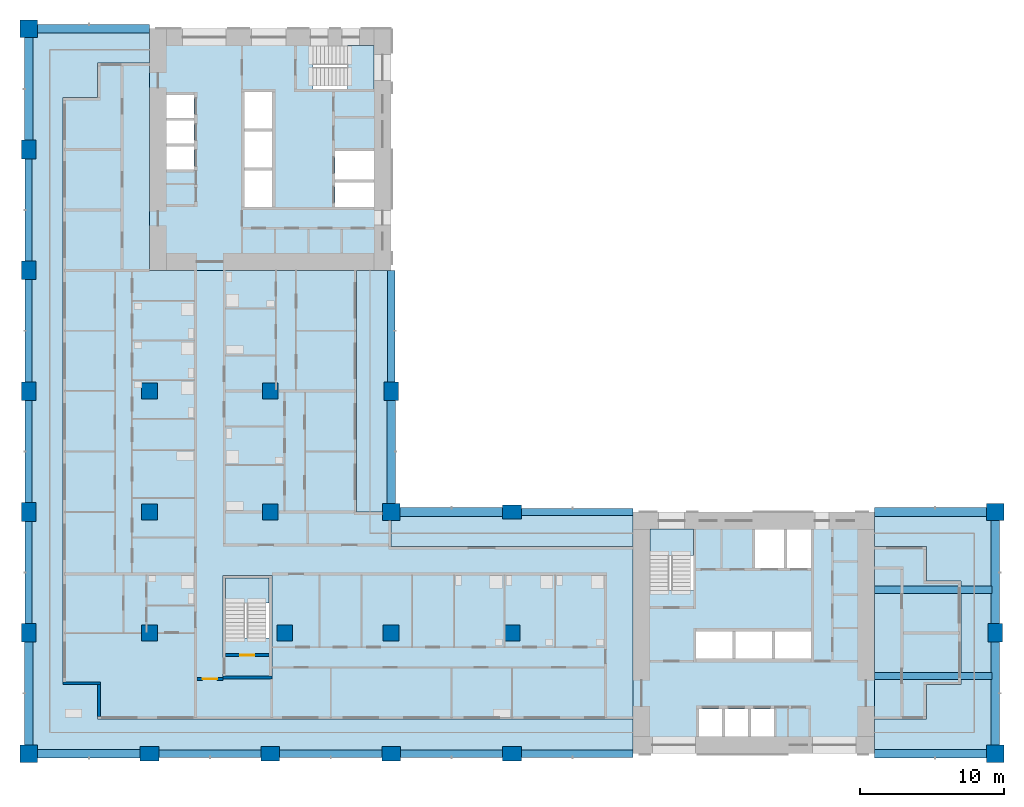
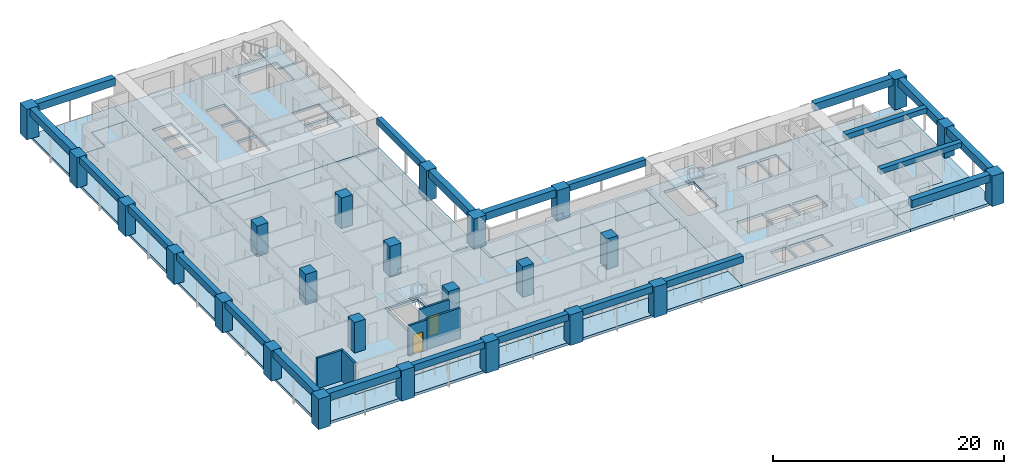
# One storey, part 1 of 17: 25 columns, 22 beams, 12 slabs, 5 walls, 2 doors, 2 openings, 3 elements without a shape of their own.
"""IFC4 building model written with IfcOpenShell, lengths in metres."""

from ifc_helpers import new_model, si_unit, direction, frame, frame_2d, origin, origin_2d, place, context, subcontext, project, spatial, polyline, rectangle, outline, extrude, material, layer, layer_set, material_profile, profile_set, type_object, element, fill, aggregate, save


model = new_model("IFC4")

# Units and contexts
model_context = context("Model", 3, precision=1e-05, world=origin(), true_north=direction((0.0, 1.0)))
body_context = subcontext(model_context, "Body", "Model", "MODEL_VIEW")
ifc_project = project(units=[si_unit("LENGTHUNIT", "METRE"), si_unit("AREAUNIT", "SQUARE_METRE"), si_unit("VOLUMEUNIT", "CUBIC_METRE"), si_unit("PLANEANGLEUNIT", "RADIAN"), si_unit("MASSUNIT", "GRAM", prefix="KILO")], contexts=[model_context])

# Site, building, storey
site_placement = place(None, origin())
site = spatial("IfcSite", under=ifc_project, at=site_placement, CompositionType="ELEMENT")
building_placement = place(site_placement, origin())
building = spatial("IfcBuilding", under=site, at=building_placement, Name="Vermilion Gate Residences", CompositionType="ELEMENT")
storey_placement = place(building_placement, frame((0.0, 0.0, 91.699951171875)))
storey = spatial("IfcBuildingStorey", under=building, at=storey_placement, Name="L22", CompositionType="ELEMENT", Elevation=91.699951171875)

# Columns
ifc_material_1 = material(Name="Concrete C70", Category="concrete")
ifc_material_profile_1 = material_profile(ifc_material_1, rectangle(XDim=1.10009765625, YDim=1.10009765625, at=origin_2d()), Name="RC-1100x1100")
ifc_profile_set_1 = profile_set([ifc_material_profile_1], Name="Concrete C70")
column_type_1 = type_object("IfcColumnType", Name="RC COLUMN 1100 X 1100 C70", PredefinedType="COLUMN", material=ifc_profile_set_1)
for number, where, z_axis, x_axis, name in (
    (1, (8.39990234375, 16.800048828125, 0.0), (0.0, 0.0, 1.0), (1.0, 0.0, 0.0), "Column 2-C L22"),
    (2, (8.39990234375, 25.199951171875, 0.0), (0.0, 0.0, 1.0), (1.0, 0.0, 0.0), "Column 2-D L22"),
    (3, (8.39990234375, 33.60009765625, 0.0), (0.0, 0.0, 1.0), (1.0, 0.0, 0.0), "Column 2-E L22"),
    (4, (17.800048828125, 16.800048828125, 0.0), (0.0, 0.0, 1.0), (1.0, 0.0, 0.0), "Column 3-C L22"),
    (5, (16.800048828125, 25.199951171875, 0.0), (0.0, 0.0, 1.0), (1.0, 0.0, 0.0), "Column 3-D L22"),
    (6, (16.800048828125, 33.60009765625, 0.0), (0.0, 0.0, 1.0), (1.0, 0.0, 0.0), "Column 3-E L22"),
    (7, (25.199951171875, 16.800048828125, 0.0), (0.0, 0.0, 1.0), (1.0, 0.0, 0.0), "Column 4-C L22"),
    (8, (33.60009765625, 16.800048828125, 0.0), (0.0, 0.0, 1.0), (1.0, 0.0, 0.0), "Column 5-C L22"),
):
    element("IfcColumn", number, at=place(storey_placement, frame(where, z_axis=z_axis, x_axis=x_axis)), inside=storey, type_object=column_type_1, Name=name, PredefinedType="COLUMN", context=body_context, shape_type="SweptSolid", body=[
        extrude(rectangle(XDim=1.10009765625, YDim=1.10009765625, at=origin_2d()), origin(), (0.0, 0.0, 1.0), 3.219970703125),
    ])
ifc_material_2 = material(Name="Concrete C70", Category="concrete")
ifc_material_profile_2 = material_profile(ifc_material_2, rectangle(XDim=1.199951171875, YDim=1.199951171875, at=origin_2d()), Name="RC-1200x1200")
ifc_profile_set_2 = profile_set([ifc_material_profile_2], Name="Concrete C70")
column_type_2 = type_object("IfcColumnType", Name="RC COLUMN 1200 X 1200 C70", PredefinedType="COLUMN", material=ifc_profile_set_2)
for number, where, z_axis, x_axis, name in (
    (9, (0.0, 8.39990234375, 0.0), (0.0, 0.0, 1.0), (1.0, 0.0, 0.0), "Column 1-B L22"),
    (10, (0.0, 58.800048828125, 0.0), (0.0, 0.0, 1.0), (1.0, 0.0, 0.0), "Column 1-H L22"),
    (11, (25.199951171875, 25.199951171875, 0.0), (0.0, 0.0, 1.0), (1.0, 0.0, 0.0), "Column 4-D L22"),
    (12, (67.199951171875, 8.39990234375, 0.0), (0.0, 0.0, 1.0), (1.0, 0.0, 0.0), "Column 9-B L22"),
    (13, (67.199951171875, 25.199951171875, 0.0), (0.0, 0.0, 1.0), (1.0, 0.0, 0.0), "Column 9-D L22"),
):
    element("IfcColumn", number, at=place(storey_placement, frame(where, z_axis=z_axis, x_axis=x_axis)), inside=storey, type_object=column_type_2, Name=name, PredefinedType="COLUMN", context=body_context, shape_type="SweptSolid", body=[
        extrude(rectangle(XDim=1.199951171875, YDim=1.199951171875, at=origin_2d()), origin(), (0.0, 0.0, 1.0), 3.219970703125),
    ])
ifc_material_3 = material(Name="Concrete C70", Category="concrete")
ifc_material_profile_3 = material_profile(ifc_material_3, rectangle(XDim=1.300048828125, YDim=1.0, at=origin_2d()), Name="RC-1300x1000")
ifc_profile_set_3 = profile_set([ifc_material_profile_3], Name="Concrete C70")
column_type_3 = type_object("IfcColumnType", Name="RC COLUMN 1300 X 1000 C70", PredefinedType="COLUMN", material=ifc_profile_set_3)
for number, where, z_axis, x_axis, name in (
    (14, (0.0, 16.800048828125, 0.0), (0.0, 0.0, 1.0), (0.0, 1.0, 0.0), "Column 1-C L22"),
    (15, (0.0, 25.199951171875, 0.0), (0.0, 0.0, 1.0), (0.0, 1.0, 0.0), "Column 1-D L22"),
    (16, (0.0, 33.60009765625, 0.0), (0.0, 0.0, 1.0), (0.0, 1.0, 0.0), "Column 1-E L22"),
    (17, (0.0, 42.0, 0.0), (0.0, 0.0, 1.0), (0.0, 1.0, 0.0), "Column 1-F L22"),
    (18, (0.0, 50.39990234375, 0.0), (0.0, 0.0, 1.0), (0.0, 1.0, 0.0), "Column 1-G L22"),
    (19, (8.39990234375, 8.39990234375, 0.0), (0.0, 0.0, 1.0), (1.0, 0.0, 0.0), "Column 2-B L22"),
    (20, (16.800048828125, 8.39990234375, 0.0), (0.0, 0.0, 1.0), (1.0, 0.0, 0.0), "Column 3-B L22"),
    (21, (25.199951171875, 8.39990234375, 0.0), (0.0, 0.0, 1.0), (1.0, 0.0, 0.0), "Column 4-B L22"),
    (22, (25.199951171875, 33.60009765625, 0.0), (0.0, 0.0, 1.0), (0.0, 1.0, 0.0), "Column 4-E L22"),
    (23, (33.60009765625, 8.39990234375, 0.0), (0.0, 0.0, 1.0), (1.0, 0.0, 0.0), "Column 5-B L22"),
    (24, (33.60009765625, 25.199951171875, 0.0), (0.0, 0.0, 1.0), (1.0, 0.0, 0.0), "Column 5-D L22"),
    (25, (67.199951171875, 16.800048828125, 0.0), (0.0, 0.0, 1.0), (0.0, 1.0, 0.0), "Column 9-C L22"),
):
    element("IfcColumn", number, at=place(storey_placement, frame(where, z_axis=z_axis, x_axis=x_axis)), inside=storey, type_object=column_type_3, Name=name, PredefinedType="COLUMN", context=body_context, shape_type="SweptSolid", body=[
        extrude(rectangle(XDim=1.300048828125, YDim=1.0, at=origin_2d()), origin(), (0.0, 0.0, 1.0), 3.219970703125),
    ])

# Beams
ifc_material_4 = material(Name="Concrete C60 red-oxide pigmented", Category="concrete")
ifc_material_profile_4 = material_profile(ifc_material_4, rectangle(XDim=0.60009765625, YDim=0.800048828125, at=origin_2d()), Name="RC-600x800")
ifc_profile_set_4 = profile_set([ifc_material_profile_4], Name="Concrete C60 red-oxide pigmented")
beam_type_1 = type_object("IfcBeamType", Name="RC CORNER EDGE BEAM 600 X 800 C60", PredefinedType="BEAM", material=ifc_profile_set_4)
for number, where, z_axis, x_axis, name in (
    (26, (0.60009765625, 8.39990234375, 2.820068359375), (1.0, 0.0, 0.0), (0.0, 1.0, 0.0), "Corner edge beam L22 1"),
    (27, (0.0, 9.0, 2.820068359375), (0.0, 1.0, 0.0), (-1.0, 0.0, 0.0), "Corner edge beam L22 2"),
):
    element("IfcBeam", number, at=place(storey_placement, frame(where, z_axis=z_axis, x_axis=x_axis)), inside=storey, type_object=beam_type_1, Name=name, PredefinedType="BEAM", context=body_context, shape_type="SweptSolid", body=[
        extrude(rectangle(XDim=0.60009765625, YDim=0.800048828125, at=origin_2d()), origin(), (0.0, 0.0, 1.0), 7.14990234375),
    ])
beam_1_placement = place(storey_placement, frame((0.60009765625, 58.800048828125, 2.820068359375), z_axis=(1.0, 0.0, 0.0), x_axis=(0.0, 1.0, 0.0)))
element("IfcBeam", 28, at=beam_1_placement, inside=storey, type_object=beam_type_1, Name="Corner edge beam L22 7", PredefinedType="BEAM", context=body_context, shape_type="SweptSolid", body=[
    extrude(rectangle(XDim=0.60009765625, YDim=0.800048828125, at=origin_2d()), origin(), (0.0, 0.0, 1.0), 7.7998046875),
])
for number, where, z_axis, x_axis, name in (
    (29, (0.0, 51.050048828125, 2.820068359375), (0.0, 1.0, 0.0), (-1.0, 0.0, 0.0), "Corner edge beam L22 8"),
    (30, (25.199951171875, 25.800048828125, 2.820068359375), (0.0, 1.0, 0.0), (-1.0, 0.0, 0.0), "Corner edge beam L22 11"),
    (31, (25.800048828125, 25.199951171875, 2.820068359375), (1.0, 0.0, 0.0), (0.0, 1.0, 0.0), "Corner edge beam L22 14"),
):
    element("IfcBeam", number, at=place(storey_placement, frame(where, z_axis=z_axis, x_axis=x_axis)), inside=storey, type_object=beam_type_1, Name=name, PredefinedType="BEAM", context=body_context, shape_type="SweptSolid", body=[
        extrude(rectangle(XDim=0.60009765625, YDim=0.800048828125, at=origin_2d()), origin(), (0.0, 0.0, 1.0), 7.14990234375),
    ])
beam_2_placement = place(storey_placement, frame((58.800048828125, 8.39990234375, 2.820068359375), z_axis=(1.0, 0.0, 0.0), x_axis=(0.0, 1.0, 0.0)))
element("IfcBeam", 32, at=beam_2_placement, inside=storey, type_object=beam_type_1, Name="Corner edge beam L22 17", PredefinedType="BEAM", context=body_context, shape_type="SweptSolid", body=[
    extrude(rectangle(XDim=0.60009765625, YDim=0.800048828125, at=origin_2d()), origin(), (0.0, 0.0, 1.0), 7.800048828125),
])
beam_3_placement = place(storey_placement, frame((67.199951171875, 9.0, 2.820068359375), z_axis=(0.0, 1.0, 0.0), x_axis=(-1.0, 0.0, 0.0)))
element("IfcBeam", 33, at=beam_3_placement, inside=storey, type_object=beam_type_1, Name="Corner edge beam L22 18", PredefinedType="BEAM", context=body_context, shape_type="SweptSolid", body=[
    extrude(rectangle(XDim=0.60009765625, YDim=0.800048828125, at=origin_2d()), origin(), (0.0, 0.0, 1.0), 7.14990234375),
])
beam_4_placement = place(storey_placement, frame((67.199951171875, 17.449951171875, 2.820068359375), z_axis=(0.0, 1.0, 0.0), x_axis=(-1.0, 0.0, 0.0)))
element("IfcBeam", 34, at=beam_4_placement, inside=storey, type_object=beam_type_1, Name="Corner edge beam L22 19", PredefinedType="BEAM", context=body_context, shape_type="SweptSolid", body=[
    extrude(rectangle(XDim=0.60009765625, YDim=0.800048828125, at=origin_2d()), origin(), (0.0, 0.0, 1.0), 7.150146484375),
])
beam_5_placement = place(storey_placement, frame((58.800048828125, 25.199951171875, 2.820068359375), z_axis=(1.0, 0.0, 0.0), x_axis=(0.0, 1.0, 0.0)))
element("IfcBeam", 35, at=beam_5_placement, inside=storey, type_object=beam_type_1, Name="Corner edge beam L22 20", PredefinedType="BEAM", context=body_context, shape_type="SweptSolid", body=[
    extrude(rectangle(XDim=0.60009765625, YDim=0.800048828125, at=origin_2d()), origin(), (0.0, 0.0, 1.0), 7.800048828125),
])
ifc_material_5 = material(Name="Concrete C60 red-oxide pigmented", Category="concrete")
ifc_material_profile_5 = material_profile(ifc_material_5, rectangle(XDim=0.5, YDim=0.699951171875, at=origin_2d()), Name="RC-500x700")
ifc_profile_set_5 = profile_set([ifc_material_profile_5], Name="Concrete C60 red-oxide pigmented")
beam_type_2 = type_object("IfcBeamType", Name="RC EDGE BEAM 500 X 700 C60", PredefinedType="BEAM", material=ifc_profile_set_5)
beam_6_placement = place(storey_placement, frame((0.0, 17.449951171875, 2.8701171875), z_axis=(0.0, 1.0, 0.0), x_axis=(-1.0, 0.0, 0.0)))
element("IfcBeam", 36, at=beam_6_placement, inside=storey, type_object=beam_type_2, Name="Edge beam L22 3", PredefinedType="BEAM", context=body_context, shape_type="SweptSolid", body=[
    extrude(rectangle(XDim=0.5, YDim=0.699951171875, at=origin_2d()), origin(), (0.0, 0.0, 1.0), 7.10009765625),
])
beam_7_placement = place(storey_placement, frame((0.0, 25.85009765625, 2.8701171875), z_axis=(0.0, 1.0, 0.0), x_axis=(-1.0, 0.0, 0.0)))
element("IfcBeam", 37, at=beam_7_placement, inside=storey, type_object=beam_type_2, Name="Edge beam L22 4", PredefinedType="BEAM", context=body_context, shape_type="SweptSolid", body=[
    extrude(rectangle(XDim=0.5, YDim=0.699951171875, at=origin_2d()), origin(), (0.0, 0.0, 1.0), 7.099853515625),
])
for number, where, z_axis, x_axis, name in (
    (38, (0.0, 34.25, 2.8701171875), (0.0, 1.0, 0.0), (-1.0, 0.0, 0.0), "Edge beam L22 5"),
    (39, (0.0, 42.64990234375, 2.8701171875), (0.0, 1.0, 0.0), (-1.0, 0.0, 0.0), "Edge beam L22 6"),
):
    element("IfcBeam", number, at=place(storey_placement, frame(where, z_axis=z_axis, x_axis=x_axis)), inside=storey, type_object=beam_type_2, Name=name, PredefinedType="BEAM", context=body_context, shape_type="SweptSolid", body=[
        extrude(rectangle(XDim=0.5, YDim=0.699951171875, at=origin_2d()), origin(), (0.0, 0.0, 1.0), 7.10009765625),
    ])
beam_8_placement = place(storey_placement, frame((9.050048828125, 8.39990234375, 2.8701171875), z_axis=(1.0, 0.0, 0.0), x_axis=(0.0, 1.0, 0.0)))
element("IfcBeam", 40, at=beam_8_placement, inside=storey, type_object=beam_type_2, Name="Edge beam L22 9", PredefinedType="BEAM", context=body_context, shape_type="SweptSolid", body=[
    extrude(rectangle(XDim=0.5, YDim=0.699951171875, at=origin_2d()), origin(), (0.0, 0.0, 1.0), 7.099853515625),
])
beam_9_placement = place(storey_placement, frame((17.449951171875, 8.39990234375, 2.8701171875), z_axis=(1.0, 0.0, 0.0), x_axis=(0.0, 1.0, 0.0)))
element("IfcBeam", 41, at=beam_9_placement, inside=storey, type_object=beam_type_2, Name="Edge beam L22 10", PredefinedType="BEAM", context=body_context, shape_type="SweptSolid", body=[
    extrude(rectangle(XDim=0.5, YDim=0.699951171875, at=origin_2d()), origin(), (0.0, 0.0, 1.0), 7.10009765625),
])
beam_10_placement = place(storey_placement, frame((25.199951171875, 34.25, 2.8701171875), z_axis=(0.0, 1.0, 0.0), x_axis=(-1.0, 0.0, 0.0)))
element("IfcBeam", 42, at=beam_10_placement, inside=storey, type_object=beam_type_2, Name="Edge beam L22 12", PredefinedType="BEAM", context=body_context, shape_type="SweptSolid", body=[
    extrude(rectangle(XDim=0.5, YDim=0.699951171875, at=origin_2d()), origin(), (0.0, 0.0, 1.0), 7.75),
])
beam_11_placement = place(storey_placement, frame((25.85009765625, 8.39990234375, 2.8701171875), z_axis=(1.0, 0.0, 0.0), x_axis=(0.0, 1.0, 0.0)))
element("IfcBeam", 43, at=beam_11_placement, inside=storey, type_object=beam_type_2, Name="Edge beam L22 13", PredefinedType="BEAM", context=body_context, shape_type="SweptSolid", body=[
    extrude(rectangle(XDim=0.5, YDim=0.699951171875, at=origin_2d()), origin(), (0.0, 0.0, 1.0), 7.099853515625),
])
for number, where, z_axis, x_axis, name in (
    (44, (34.25, 8.39990234375, 2.8701171875), (1.0, 0.0, 0.0), (0.0, 1.0, 0.0), "Edge beam L22 15"),
    (45, (34.25, 25.199951171875, 2.8701171875), (1.0, 0.0, 0.0), (0.0, 1.0, 0.0), "Edge beam L22 16"),
):
    element("IfcBeam", number, at=place(storey_placement, frame(where, z_axis=z_axis, x_axis=x_axis)), inside=storey, type_object=beam_type_2, Name=name, PredefinedType="BEAM", context=body_context, shape_type="SweptSolid", body=[
        extrude(rectangle(XDim=0.5, YDim=0.699951171875, at=origin_2d()), origin(), (0.0, 0.0, 1.0), 7.75),
    ])
ifc_material_6 = material(Name="Concrete C60", Category="concrete")
ifc_material_profile_6 = material_profile(ifc_material_6, rectangle(XDim=0.5, YDim=0.550048828125, at=origin_2d()), Name="RC-500x550")
ifc_profile_set_6 = profile_set([ifc_material_profile_6], Name="Concrete C60")
beam_type_3 = type_object("IfcBeamType", Name="RC WING BEAM 500 X 550 C60", PredefinedType="BEAM", material=ifc_profile_set_6)
for number, where, z_axis, x_axis, name in (
    (46, (58.800048828125, 13.800048828125, 2.945068359375), (1.0, 0.0, 0.0), (0.0, 1.0, 0.0), "Wing-end beam L22 1"),
    (47, (58.800048828125, 19.800048828125, 2.945068359375), (1.0, 0.0, 0.0), (0.0, 1.0, 0.0), "Wing-end beam L22 2"),
):
    element("IfcBeam", number, at=place(storey_placement, frame(where, z_axis=z_axis, x_axis=x_axis)), inside=storey, type_object=beam_type_3, Name=name, PredefinedType="BEAM", context=body_context, shape_type="SweptSolid", body=[
        extrude(rectangle(XDim=0.5, YDim=0.550048828125, at=origin_2d()), origin(), (0.0, 0.0, 1.0), 8.14990234375),
    ])

# Slabs
ifc_material_7 = material(Name="Concrete C50", Category="concrete")
ifc_layer_1 = layer(ifc_material_7, 0.280029296875)
ifc_layer_set_1 = layer_set([ifc_layer_1], Name="RC CORE FLOOR SLAB 280 C50")
slab_type_1 = type_object("IfcSlabType", Name="RC CORE FLOOR SLAB 280 C50", PredefinedType="FLOOR", material=ifc_layer_set_1)
slab_1_placement = place(storey_placement, frame((0.0, 0.0, -0.280029296875)))
element("IfcSlab", 48, at=slab_1_placement, inside=storey, type_object=slab_type_1, Name="Core floor slab A22", PredefinedType="FLOOR", context=body_context, shape_type="SweptSolid", body=[
    extrude(outline(polyline([(42.0, 8.39990234375), (58.800048828125, 8.39990234375), (58.800048828125, 25.199951171875), (42.0, 25.199951171875), (42.0, 8.39990234375)]), holes=[polyline([(46.60009765625, 11.5), (48.199951171875, 11.5), (48.199951171875, 9.60009765625), (46.60009765625, 9.60009765625), (46.60009765625, 11.5)]), polyline([(48.39990234375, 11.5), (50.0, 11.5), (50.0, 9.60009765625), (48.39990234375, 9.60009765625), (48.39990234375, 11.5)]), polyline([(50.199951171875, 11.5), (51.800048828125, 11.5), (51.800048828125, 9.60009765625), (50.199951171875, 9.60009765625), (50.199951171875, 11.5)]), polyline([(46.39990234375, 16.89990234375), (48.933349609375, 16.89990234375), (48.933349609375, 15.0), (46.39990234375, 15.0), (46.39990234375, 16.89990234375)]), polyline([(49.13330078125, 16.89990234375), (51.666748046875, 16.89990234375), (51.666748046875, 15.0), (49.13330078125, 15.0), (49.13330078125, 16.89990234375)]), polyline([(51.86669921875, 16.89990234375), (54.39990234375, 16.89990234375), (54.39990234375, 15.0), (51.86669921875, 15.0), (51.86669921875, 16.89990234375)]), polyline([(43.199951171875, 24.0), (46.199951171875, 24.0), (46.199951171875, 19.75), (43.199951171875, 19.75), (43.199951171875, 24.0)]), polyline([(52.5, 24.0), (52.5, 21.300048828125), (50.5, 21.300048828125), (50.5, 24.0), (52.5, 24.0)]), polyline([(54.39990234375, 24.0), (54.39990234375, 21.300048828125), (52.699951171875, 21.300048828125), (52.699951171875, 24.0), (54.39990234375, 24.0)])]), origin(), (0.0, 0.0, 1.0), 0.280029296875),
])
slab_2_placement = place(storey_placement, frame((0.0, 0.0, -0.280029296875)))
element("IfcSlab", 49, at=slab_2_placement, inside=storey, type_object=slab_type_1, Name="Core floor slab B22", PredefinedType="FLOOR", context=body_context, shape_type="SweptSolid", body=[
    extrude(outline(polyline([(8.39990234375, 42.0), (25.199951171875, 42.0), (25.199951171875, 58.800048828125), (8.39990234375, 58.800048828125), (8.39990234375, 42.0)]), holes=[polyline([(21.300048828125, 48.10009765625), (24.0, 48.10009765625), (24.0, 46.39990234375), (21.300048828125, 46.39990234375), (21.300048828125, 48.10009765625)]), polyline([(15.0, 48.933349609375), (16.89990234375, 48.933349609375), (16.89990234375, 46.39990234375), (15.0, 46.39990234375), (15.0, 48.933349609375)]), polyline([(21.300048828125, 50.300048828125), (24.0, 50.300048828125), (24.0, 48.300048828125), (21.300048828125, 48.300048828125), (21.300048828125, 50.300048828125)]), polyline([(9.60009765625, 50.60009765625), (11.5, 50.60009765625), (11.5, 49.0), (9.60009765625, 49.0), (9.60009765625, 50.60009765625)]), polyline([(15.0, 51.666748046875), (16.89990234375, 51.666748046875), (16.89990234375, 49.13330078125), (15.0, 49.13330078125), (15.0, 51.666748046875)]), polyline([(9.60009765625, 52.39990234375), (11.5, 52.39990234375), (11.5, 50.800048828125), (9.60009765625, 50.800048828125), (9.60009765625, 52.39990234375)]), polyline([(15.0, 54.39990234375), (16.89990234375, 54.39990234375), (16.89990234375, 51.86669921875), (15.0, 51.86669921875), (15.0, 54.39990234375)]), polyline([(11.5, 54.199951171875), (11.5, 52.60009765625), (9.60009765625, 52.60009765625), (9.60009765625, 54.199951171875), (11.5, 54.199951171875)]), polyline([(24.0, 57.60009765625), (24.0, 54.60009765625), (19.75, 54.60009765625), (19.75, 57.60009765625), (24.0, 57.60009765625)])]), origin(), (0.0, 0.0, 1.0), 0.280029296875),
])
slab_3_placement = place(storey_placement, frame((0.0, 0.0, -0.280029296875)))
element("IfcSlab", 50, at=slab_3_placement, inside=storey, type_object=slab_type_1, Name="Apex stair floor slab 22", PredefinedType="FLOOR", context=body_context, shape_type="SweptSolid", body=[
    extrude(outline(polyline([(13.5, 13.60009765625), (16.89990234375, 13.60009765625), (16.89990234375, 20.800048828125), (13.5, 20.800048828125), (13.5, 13.60009765625)]), holes=[polyline([(16.699951171875, 20.60009765625), (16.699951171875, 16.449951171875), (13.699951171875, 16.449951171875), (13.699951171875, 20.60009765625), (16.699951171875, 20.60009765625)])]), origin(), (0.0, 0.0, 1.0), 0.280029296875),
])
ifc_material_8 = material(Name="Concrete C50", Category="concrete")
ifc_layer_2 = layer(ifc_material_8, 0.280029296875)
ifc_layer_set_2 = layer_set([ifc_layer_2], Name="RC FLAT PLATE 280 C50")
slab_type_2 = type_object("IfcSlabType", Name="RC FLAT PLATE 280 C50", PredefinedType="FLOOR", material=ifc_layer_set_2)
slab_4_placement = place(storey_placement, frame((0.0, 0.0, -0.280029296875)))
element("IfcSlab", 51, at=slab_4_placement, inside=storey, type_object=slab_type_2, Name="Floor slab L22", PredefinedType="FLOOR", context=body_context, shape_type="SweptSolid", body=[
    extrude(outline(polyline([(22.800048828125, 25.199951171875), (22.800048828125, 42.0), (8.39990234375, 42.0), (8.39990234375, 56.39990234375), (4.800048828125, 56.39990234375), (4.800048828125, 54.0), (2.39990234375, 54.0), (2.39990234375, 13.199951171875), (4.800048828125, 13.199951171875), (4.800048828125, 10.800048828125), (42.0, 10.800048828125), (42.0, 22.800048828125), (25.199951171875, 22.800048828125), (25.199951171875, 25.199951171875), (22.800048828125, 25.199951171875)]), holes=[polyline([(13.5, 13.60009765625), (13.5, 20.800048828125), (16.89990234375, 20.800048828125), (16.89990234375, 13.60009765625), (13.5, 13.60009765625)])]), origin(), (0.0, 0.0, 1.0), 0.280029296875),
])
slab_5_placement = place(storey_placement, frame((0.0, 0.0, -0.280029296875)))
element("IfcSlab", 52, at=slab_5_placement, inside=storey, type_object=slab_type_2, Name="Floor slab L22", PredefinedType="FLOOR", context=body_context, shape_type="SweptSolid", body=[
    extrude(outline(polyline([(58.800048828125, 22.800048828125), (58.800048828125, 10.800048828125), (62.39990234375, 10.800048828125), (62.39990234375, 13.199951171875), (64.800048828125, 13.199951171875), (64.800048828125, 20.39990234375), (62.39990234375, 20.39990234375), (62.39990234375, 22.800048828125), (58.800048828125, 22.800048828125)])), origin(), (0.0, 0.0, 1.0), 0.280029296875),
])
ifc_material_9 = material(Name="Concrete C50 red-oxide pigmented", Category="concrete")
ifc_layer_3 = layer(ifc_material_9, 0.280029296875)
ifc_layer_set_3 = layer_set([ifc_layer_3], Name="RC LOGGIA SLAB 280 C50")
slab_type_3 = type_object("IfcSlabType", Name="RC LOGGIA SLAB 280 C50", PredefinedType="FLOOR", material=ifc_layer_set_3)
slab_6_placement = place(storey_placement, frame((0.0, 0.0, -0.280029296875)))
element("IfcSlab", 53, at=slab_6_placement, inside=storey, type_object=slab_type_3, Name="Loggia slab L22", PredefinedType="FLOOR", context=body_context, shape_type="SweptSolid", body=[
    extrude(outline(polyline([(0.0, 58.800048828125), (0.0, 8.39990234375), (42.0, 8.39990234375), (42.0, 10.800048828125), (4.800048828125, 10.800048828125), (4.800048828125, 13.199951171875), (2.39990234375, 13.199951171875), (2.39990234375, 54.0), (4.800048828125, 54.0), (4.800048828125, 56.39990234375), (8.39990234375, 56.39990234375), (8.39990234375, 58.800048828125), (0.0, 58.800048828125)])), origin(), (0.0, 0.0, 1.0), 0.280029296875),
])
slab_7_placement = place(storey_placement, frame((0.0, 0.0, -0.280029296875)))
element("IfcSlab", 54, at=slab_7_placement, inside=storey, type_object=slab_type_3, Name="Loggia slab L22", PredefinedType="FLOOR", context=body_context, shape_type="SweptSolid", body=[
    extrude(outline(polyline([(64.800048828125, 20.39990234375), (64.800048828125, 13.199951171875), (62.39990234375, 13.199951171875), (62.39990234375, 10.800048828125), (58.800048828125, 10.800048828125), (58.800048828125, 8.39990234375), (67.199951171875, 8.39990234375), (67.199951171875, 25.199951171875), (58.800048828125, 25.199951171875), (58.800048828125, 22.800048828125), (62.39990234375, 22.800048828125), (62.39990234375, 20.39990234375), (64.800048828125, 20.39990234375)])), origin(), (0.0, 0.0, 1.0), 0.280029296875),
])
slab_8_placement = place(storey_placement, frame((0.0, 0.0, -0.280029296875)))
element("IfcSlab", 55, at=slab_8_placement, inside=storey, type_object=slab_type_3, Name="Loggia slab L22", PredefinedType="FLOOR", context=body_context, shape_type="SweptSolid", body=[
    extrude(outline(polyline([(25.199951171875, 22.800048828125), (42.0, 22.800048828125), (42.0, 25.199951171875), (25.199951171875, 25.199951171875), (25.199951171875, 22.800048828125)])), origin(), (0.0, 0.0, 1.0), 0.280029296875),
])
slab_9_placement = place(storey_placement, frame((0.0, 0.0, -0.280029296875)))
element("IfcSlab", 56, at=slab_9_placement, inside=storey, type_object=slab_type_3, Name="Loggia slab L22", PredefinedType="FLOOR", context=body_context, shape_type="SweptSolid", body=[
    extrude(outline(polyline([(25.199951171875, 25.199951171875), (25.199951171875, 42.0), (22.800048828125, 42.0), (22.800048828125, 25.199951171875), (25.199951171875, 25.199951171875)])), origin(), (0.0, 0.0, 1.0), 0.280029296875),
])

# Stair, slab
ifc_material_10 = material(Name="Concrete C50", Category="concrete")
stair_type = type_object("IfcStairType", Name="SPECIAL ESCAPE STAIR 1300", PredefinedType="HALF_TURN_STAIR", material=ifc_material_10)
stair_1_placement = place(storey_placement, origin())
stair_1 = element("IfcStair", 57, at=stair_1_placement, inside=storey, type_object=stair_type, Name="Special escape stair STA1-22", PredefinedType="HALF_TURN_STAIR")
ifc_material_11 = material(Name="Concrete C50", Category="concrete")
ifc_layer_4 = layer(ifc_material_11, 0.199951171875)
ifc_layer_set_4 = layer_set([ifc_layer_4], Name="STAIR LANDING 200 C50")
slab_type_4 = type_object("IfcSlabType", Name="STAIR LANDING 200 C50", PredefinedType="LANDING", material=ifc_layer_set_4)
slab_10_placement = place(storey_placement, frame((0.0, 0.0, 1.550048828125)))
slab_10 = element("IfcSlab", 58, at=slab_10_placement, type_object=slab_type_4, Name="STA1-22 landing 1", PredefinedType="LANDING", context=body_context, shape_type="SweptSolid", body=[
    extrude(outline(polyline([(46.219970703125, 22.179931640625), (46.219970703125, 24.02001953125), (43.179931640625, 24.02001953125), (43.179931640625, 22.179931640625), (46.219970703125, 22.179931640625)])), origin(), (0.0, 0.0, 1.0), 0.199951171875),
])
aggregate(stair_1, [slab_10])

stair_2_placement = place(storey_placement, origin())
stair_2 = element("IfcStair", 59, at=stair_2_placement, inside=storey, type_object=stair_type, Name="Special escape stair STB1-22", PredefinedType="HALF_TURN_STAIR")
slab_11_placement = place(storey_placement, frame((0.0, 0.0, 1.550048828125)))
slab_11 = element("IfcSlab", 60, at=slab_11_placement, type_object=slab_type_4, Name="STB1-22 landing 1", PredefinedType="LANDING", context=body_context, shape_type="SweptSolid", body=[
    extrude(outline(polyline([(24.02001953125, 54.580078125), (24.02001953125, 57.6201171875), (22.179931640625, 57.6201171875), (22.179931640625, 54.580078125), (24.02001953125, 54.580078125)])), origin(), (0.0, 0.0, 1.0), 0.199951171875),
])
aggregate(stair_2, [slab_11])

stair_3_placement = place(storey_placement, origin())
stair_3 = element("IfcStair", 61, at=stair_3_placement, inside=storey, type_object=stair_type, Name="Special escape stair STC1-22", PredefinedType="HALF_TURN_STAIR")
slab_12_placement = place(storey_placement, frame((0.0, 0.0, 1.550048828125)))
slab_12 = element("IfcSlab", 62, at=slab_12_placement, type_object=slab_type_4, Name="STC1-22 landing 1", PredefinedType="LANDING", context=body_context, shape_type="SweptSolid", body=[
    extrude(outline(polyline([(16.719970703125, 18.8798828125), (16.719970703125, 20.6201171875), (13.679931640625, 20.6201171875), (13.679931640625, 18.8798828125), (16.719970703125, 18.8798828125)])), origin(), (0.0, 0.0, 1.0), 0.199951171875),
])
aggregate(stair_3, [slab_12])

# Walls
ifc_material_12 = material(Name="Insulated steel stud wall with terracotta rainscreen", Category="masonry")
ifc_layer_5 = layer(ifc_material_12, 0.199951171875)
ifc_layer_set_5 = layer_set([ifc_layer_5], Name="EXTERNAL WALL 200 TERRACOTTA RAINSCREEN")
wall_type_1 = type_object("IfcWallType", Name="EXTERNAL WALL 200 TERRACOTTA RAINSCREEN", PredefinedType="SOLIDWALL", material=ifc_layer_set_5)
wall_1_placement = place(storey_placement, frame((2.39990234375, 13.300048828125, 0.0), z_axis=(0.0, 0.0, 1.0), x_axis=(1.0, 0.0, 0.0)))
element("IfcWall", 63, at=wall_1_placement, inside=storey, type_object=wall_type_1, Name="External wall", PredefinedType="SOLIDWALL", context=body_context, shape_type="SweptSolid", body=[
    extrude(rectangle(XDim=2.60009765625, YDim=0.199951171875, at=frame_2d((1.300048828125, 0.0))), origin(), (0.0, 0.0, 1.0), 3.219970703125),
])
wall_2_placement = place(storey_placement, frame((4.89990234375, 13.199951171875, 0.0), z_axis=(0.0, 0.0, 1.0), x_axis=(0.0, -1.0, 0.0)))
element("IfcWall", 64, at=wall_2_placement, inside=storey, type_object=wall_type_1, Name="External wall", PredefinedType="SOLIDWALL", context=body_context, shape_type="SweptSolid", body=[
    extrude(rectangle(XDim=2.199951171875, YDim=0.199951171875, at=frame_2d((1.10009765625, 0.0))), origin(), (0.0, 0.0, 1.0), 3.219970703125),
])

# Wall, opening, door
ifc_material_13 = material(Name="Fire-rated plasterboard on steel studs", Category="steel")
ifc_layer_6 = layer(ifc_material_13, 0.199951171875)
ifc_layer_set_6 = layer_set([ifc_layer_6], Name="PARTY WALL 200 EI 120")
wall_type_2 = type_object("IfcWallType", Name="PARTY WALL 200 EI 120", PredefinedType="PARTITIONING", material=ifc_layer_set_6)
wall_3_placement = place(storey_placement, frame((11.699951171875, 13.60009765625, 0.0), z_axis=(0.0, 0.0, 1.0), x_axis=(1.0, 0.0, 0.0)))
wall_3 = element("IfcWall", 65, at=wall_3_placement, inside=storey, type_object=wall_type_2, Name="Party and corridor wall", PredefinedType="PARTITIONING", context=body_context, shape_type="SweptSolid", body=[
    extrude(rectangle(XDim=1.800048828125, YDim=0.199951171875, at=frame_2d((0.89990234375, 0.0))), origin(), (0.0, 0.0, 1.0), 3.219970703125),
])
opening_1_placement = place(wall_3_placement, frame((0.39990234375, 0.0, 0.0)))
opening_1 = element("IfcOpeningElement", 66, at=opening_1_placement, cuts=wall_3, Name="Opening DA22001", PredefinedType="OPENING", context=body_context, shape_type="SweptSolid", body=[
    extrude(rectangle(XDim=1.0, YDim=2.10009765625, at=frame_2d((0.5, 1.050048828125))), frame((0.0, 0.10986328125, 0.0), z_axis=(0.0, -1.0, 0.0), x_axis=(1.0, 0.0, 0.0)), (0.0, 0.0, 1.0), 0.219970703125),
])
ifc_material_14 = material(Name="Steel", Category="steel")
door_type_1 = type_object("IfcDoorType", Name="ENTRANCE DOOR 1000 X 2100 FD30", OperationType="SINGLE_SWING_LEFT", PredefinedType="DOOR", material=ifc_material_14)
door_1_placement = place(opening_1_placement, frame((1.0, 0.0, 0.0), z_axis=(0.0, 0.0, 1.0), x_axis=(-1.0, 0.0, 0.0)))
door_1 = element("IfcDoor", 67, at=door_1_placement, inside=storey, type_object=door_type_1, Name="Entrance door", OperationType="SINGLE_SWING_RIGHT", OverallHeight=2.10009765625, OverallWidth=1.0, PredefinedType="DOOR", context=body_context, shape_type="SweptSolid", body=[
    extrude(rectangle(XDim=1.0, YDim=2.10009765625, at=frame_2d((0.5, 1.050048828125))), frame((0.0, 0.02490234375, 0.0), z_axis=(0.0, -1.0, 0.0), x_axis=(1.0, 0.0, 0.0)), (0.0, 0.0, 1.0), 0.050048828125),
])
fill(opening_1, door_1)

# Wall
ifc_material_15 = material(Name="Concrete C60", Category="concrete")
ifc_layer_7 = layer(ifc_material_15, 0.199951171875)
ifc_layer_set_7 = layer_set([ifc_layer_7], Name="RC CORE INTERNAL WALL 200 C60")
wall_type_3 = type_object("IfcWallType", Name="RC CORE INTERNAL WALL 200 C60", PredefinedType="SHEAR", material=ifc_layer_set_7)
wall_4_placement = place(storey_placement, frame((13.5, 13.699951171875, 0.0), z_axis=(0.0, 0.0, 1.0), x_axis=(1.0, 0.0, 0.0)))
element("IfcWall", 68, at=wall_4_placement, inside=storey, type_object=wall_type_3, Name="Core internal wall C22-S", PredefinedType="SHEAR", context=body_context, shape_type="SweptSolid", body=[
    extrude(rectangle(XDim=3.39990234375, YDim=0.199951171875, at=frame_2d((1.699951171875, 0.0))), origin(), (0.0, 0.0, 1.0), 3.219970703125),
])

# Wall, opening, door
wall_5_placement = place(storey_placement, frame((13.699951171875, 15.25, 0.0), z_axis=(0.0, 0.0, 1.0), x_axis=(1.0, 0.0, 0.0)))
wall_5 = element("IfcWall", 69, at=wall_5_placement, inside=storey, type_object=wall_type_3, Name="Core internal wall C22-P", PredefinedType="SHEAR", context=body_context, shape_type="SweptSolid", body=[
    extrude(rectangle(XDim=3.0, YDim=0.199951171875, at=frame_2d((1.5, 0.0))), origin(), (0.0, 0.0, 1.0), 3.219970703125),
])
opening_2_placement = place(wall_5_placement, frame((1.0, 0.0, 0.0)))
opening_2 = element("IfcOpeningElement", 70, at=opening_2_placement, cuts=wall_5, Name="Opening DK22202", PredefinedType="OPENING", context=body_context, shape_type="SweptSolid", body=[
    extrude(rectangle(XDim=1.0, YDim=2.10009765625, at=frame_2d((0.5, 1.050048828125))), frame((0.0, 0.10986328125, 0.0), z_axis=(0.0, -1.0, 0.0), x_axis=(1.0, 0.0, 0.0)), (0.0, 0.0, 1.0), 0.219970703125),
])
ifc_material_16 = material(Name="Steel", Category="steel")
door_type_2 = type_object("IfcDoorType", Name="FIRE DOOR FD60 1000 X 2100", OperationType="SINGLE_SWING_LEFT", PredefinedType="DOOR", material=ifc_material_16)
door_2_placement = place(opening_2_placement, origin())
door_2 = element("IfcDoor", 71, at=door_2_placement, inside=storey, type_object=door_type_2, Name="Stair door C22", OperationType="SINGLE_SWING_LEFT", OverallHeight=2.10009765625, OverallWidth=1.0, PredefinedType="DOOR", context=body_context, shape_type="SweptSolid", body=[
    extrude(rectangle(XDim=1.0, YDim=2.10009765625, at=frame_2d((0.5, 1.050048828125))), frame((0.0, 0.02490234375, 0.0), z_axis=(0.0, -1.0, 0.0), x_axis=(1.0, 0.0, 0.0)), (0.0, 0.0, 1.0), 0.050048828125),
])
fill(opening_2, door_2)

save(model, "model.ifc")
